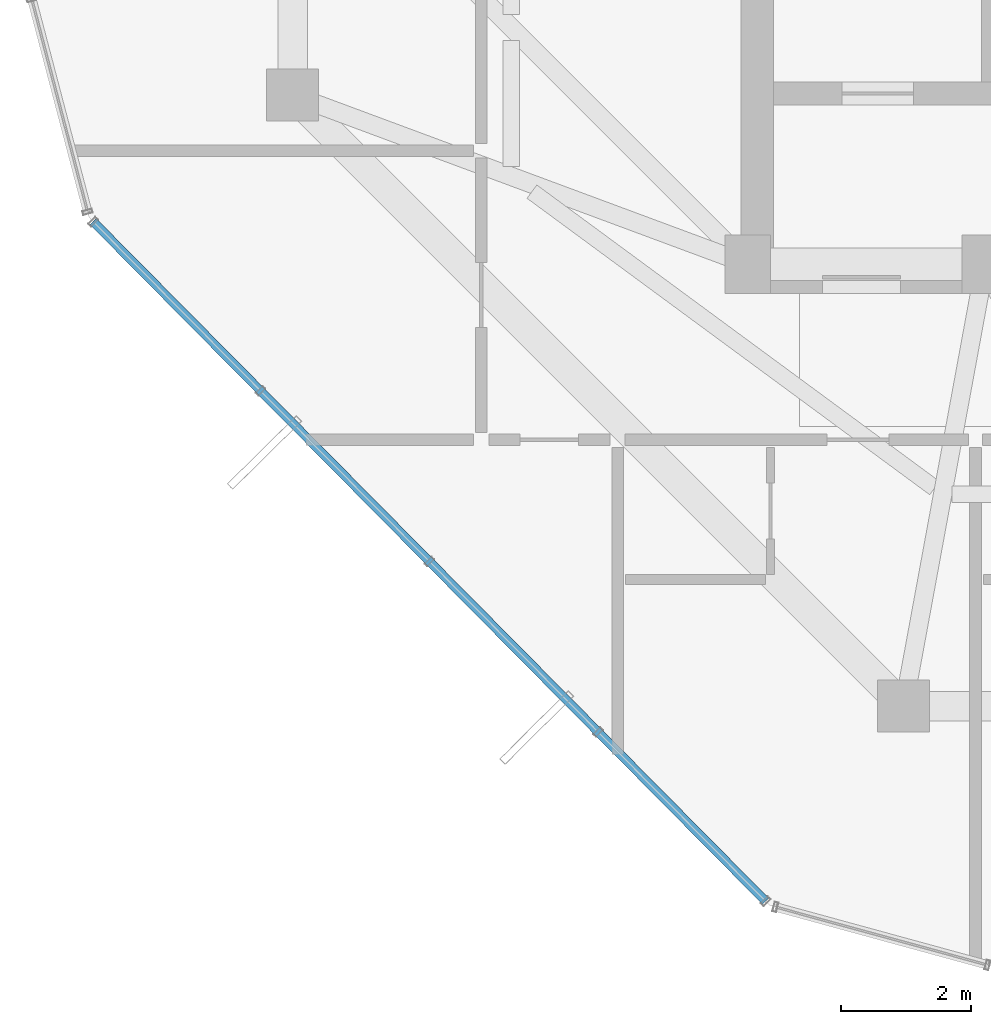
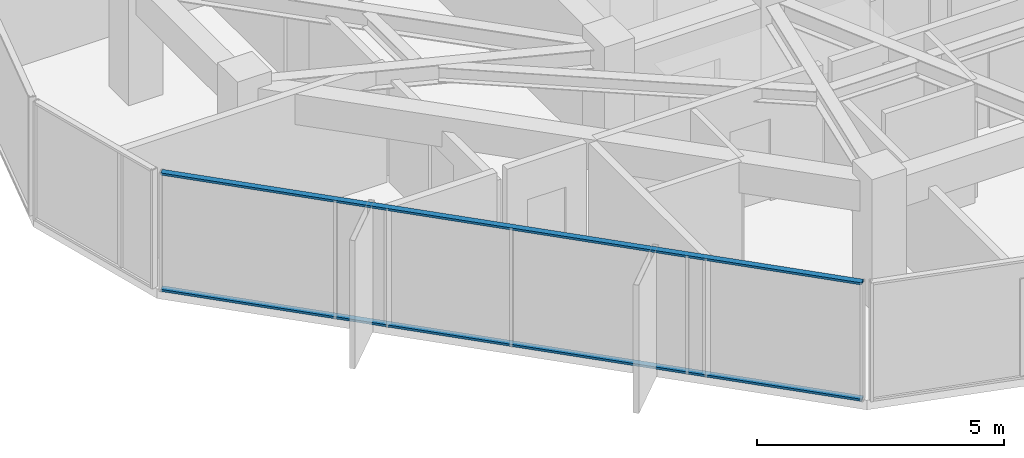
# One storey, part 3 of 29: 2 members, 1 element without a shape of its own.
"""IFC4 building model written with IfcOpenShell, lengths in metres."""

from ifc_helpers import new_model, si_unit, direction, frame, origin, origin_2d, place, context, subcontext, project, spatial, hollow_rectangle, extrude, source, transform, mapped, material, layer, layer_set, material_profile, profile_set, type_object, element, aggregate, save


model = new_model("IFC4")

# Units and contexts
model_context = context("Model", 3, precision=1e-05, world=origin(), true_north=direction((0.0, 1.0)))
body_context = subcontext(model_context, "Body", "Model", "MODEL_VIEW")
ifc_project = project(units=[si_unit("LENGTHUNIT", "METRE"), si_unit("AREAUNIT", "SQUARE_METRE"), si_unit("VOLUMEUNIT", "CUBIC_METRE"), si_unit("PLANEANGLEUNIT", "RADIAN"), si_unit("MASSUNIT", "GRAM", prefix="KILO")], contexts=[model_context])

# Site, building, storey
site_placement = place(None, origin())
site = spatial("IfcSite", under=ifc_project, at=site_placement, CompositionType="ELEMENT")
building_placement = place(site_placement, origin())
building = spatial("IfcBuilding", under=site, at=building_placement, Name="Veraguas Prism Commons", CompositionType="ELEMENT")
storey_placement = place(building_placement, frame((0.0, 0.0, 261.0)))
storey = spatial("IfcBuildingStorey", under=building, at=storey_placement, Name="L74", CompositionType="ELEMENT", Elevation=261.0)

# Curtain wall, members
ifc_material = material(Name="Anodised aluminium EN AW-6063 T6", Category="aluminium")
ifc_layer = layer(ifc_material, 0.14990234375, Name="Unitised Flush Curtain Wall Zone 4", Category="aluminium")
ifc_layer_set = layer_set([ifc_layer], Name="Anodised aluminium EN AW-6063 T6")
curtain_wall_type = type_object("IfcCurtainWallType", Name="Unitised Flush Curtain Wall Zone 4", PredefinedType="NOTDEFINED", material=ifc_layer_set)
curtain_wall_placement = place(storey_placement, origin())
curtain_wall = element("IfcCurtainWall", 1, at=curtain_wall_placement, inside=storey, type_object=curtain_wall_type, Name="Tower Facade Curtain Wall L74-F4", PredefinedType="NOTDEFINED")
ifc_material_profile = material_profile(ifc_material, hollow_rectangle(XDim=0.054931640625, YDim=0.135009765625, WallThickness=0.0029296875, at=origin_2d()), Name="AL55X135X3")
ifc_profile_set = profile_set([ifc_material_profile], Name="Anodised aluminium EN AW-6063 T6")
member_type = type_object("IfcMemberType", Name="Curtain Wall Transom Standard AL 55x135x3", PredefinedType="USERDEFINED", material=ifc_profile_set)
shared_shape = source(origin(), body_context, "Body", "SweptSolid", [
    extrude(hollow_rectangle(XDim=0.054931640625, YDim=0.135009765625, WallThickness=0.0029296875, at=origin_2d()), origin(), (0.0, 0.0, 1.0), 14.706298828125),
])
member_1_placement = place(storey_placement, frame((7.132080078125, 17.652587890625, 0.027587890625), z_axis=(0.703386710821, -0.710807382517, 0.0), x_axis=(0.0, 0.0, 1.0)))
member_1 = element("IfcMember", 2, at=member_1_placement, type_object=member_type, Name="CW-Z4 Transom 1", ObjectType="TRANSOM", PredefinedType="USERDEFINED", context=body_context, shape_type="MappedRepresentation", body=[
    mapped(shared_shape, transform((0.0, 0.0, 0.0), scale=1.0)),
])
member_2_placement = place(storey_placement, frame((7.132080078125, 17.652587890625, 2.902587890625), z_axis=(0.703386710821, -0.710807382517, 0.0), x_axis=(0.0, 0.0, 1.0)))
member_2 = element("IfcMember", 3, at=member_2_placement, type_object=member_type, Name="CW-Z4 Transom 2", ObjectType="TRANSOM", PredefinedType="USERDEFINED", context=body_context, shape_type="MappedRepresentation", body=[
    mapped(shared_shape, transform((0.0, 0.0, 0.0), scale=1.0)),
])
aggregate(curtain_wall, [member_1, member_2])

save(model, "model.ifc")
